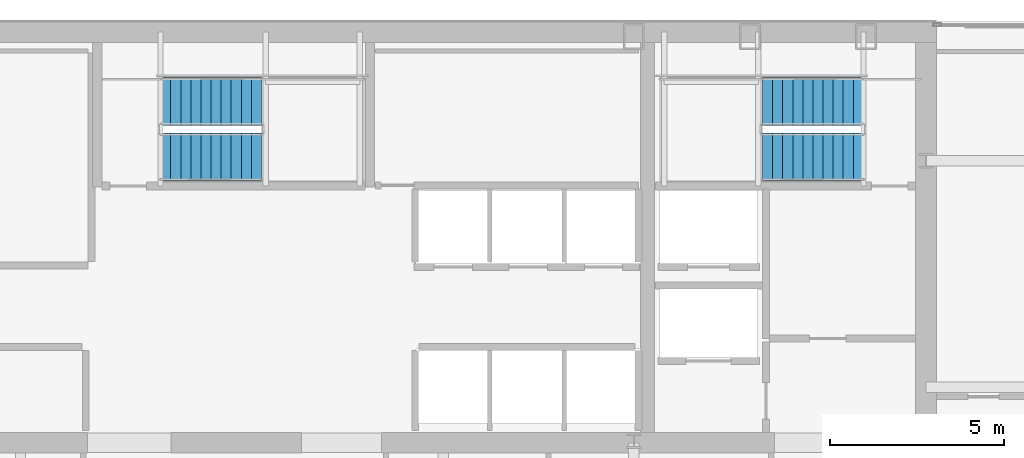
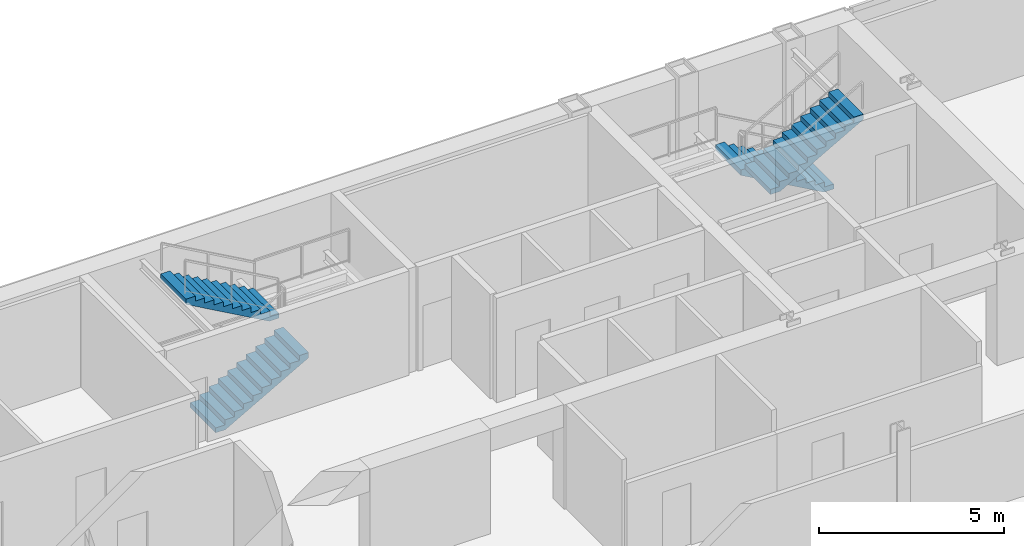
# One storey, part 28 of 30: 4 stair flights, 2 elements without a shape of their own.
"""IFC4 building model written with IfcOpenShell, lengths in metres."""

from ifc_helpers import new_model, si_unit, direction, frame, origin, place, context, subcontext, project, spatial, polyline, outline, extrude, material, type_object, element, aggregate, save


model = new_model("IFC4")

# Units and contexts
model_context = context("Model", 3, precision=1e-05, world=origin(), true_north=direction((0.0, 1.0)))
body_context = subcontext(model_context, "Body", "Model", "MODEL_VIEW")
ifc_project = project(units=[si_unit("LENGTHUNIT", "METRE"), si_unit("AREAUNIT", "SQUARE_METRE"), si_unit("VOLUMEUNIT", "CUBIC_METRE"), si_unit("PLANEANGLEUNIT", "RADIAN"), si_unit("MASSUNIT", "GRAM", prefix="KILO")], contexts=[model_context])

# Site, building, storey
site_placement = place(None, origin())
site = spatial("IfcSite", under=ifc_project, at=site_placement, CompositionType="ELEMENT")
building_placement = place(site_placement, origin())
building = spatial("IfcBuilding", under=site, at=building_placement, Name="Khoronbel Lancet Exchange", CompositionType="ELEMENT")
storey_placement = place(building_placement, frame((0.0, 0.0, 203.0)))
storey = spatial("IfcBuildingStorey", under=building, at=storey_placement, Name="L51", CompositionType="ELEMENT", Elevation=203.0)

# Stair, stair flights
ifc_material = material(Name="Concrete C40/50", Category="concrete")
stair_type = type_object("IfcStairType", Name="STR-CORE150", PredefinedType="HALF_TURN_STAIR", material=ifc_material)
stair_1_placement = place(storey_placement, origin())
stair_1 = element("IfcStair", 1, at=stair_1_placement, inside=storey, type_object=stair_type, Name="L51 Protected Exit Stair ST2", PredefinedType="HALF_TURN_STAIR")
stair_flight_type = type_object("IfcStairFlightType", Name="STF-150", PredefinedType="STRAIGHT", material=ifc_material)
stair_flight_1_placement = place(storey_placement, frame((54.60009765625, 51.409912109375, 0.0), z_axis=(0.0, 0.0, 1.0), x_axis=(-1.0, 0.0, 0.0)))
stair_flight_1 = element("IfcStairFlight", 2, at=stair_flight_1_placement, type_object=stair_flight_type, Name="ST2 flight 1", NumberOfRisers=11, NumberOfTreads=10, PredefinedType="STRAIGHT", RiserHeight=0.163636364, TreadLength=0.29, context=body_context, shape_type="SweptSolid", body=[
    extrude(outline(polyline([(0.0, 0.0), (0.0, 0.16357421875), (0.2900390625, 0.16357421875), (0.2900390625, 0.327392578125), (0.580078125, 0.327392578125), (0.580078125, 0.490966796875), (0.8701171875, 0.490966796875), (0.8701171875, 0.654541015625), (1.159912109375, 0.654541015625), (1.159912109375, 0.818115234375), (1.449951171875, 0.818115234375), (1.449951171875, 0.98193359375), (1.739990234375, 0.98193359375), (1.739990234375, 1.1455078125), (2.030029296875, 1.1455078125), (2.030029296875, 1.30908203125), (2.320068359375, 1.30908203125), (2.320068359375, 1.47265625), (2.610107421875, 1.47265625), (2.610107421875, 1.636474609375), (2.89990234375, 1.636474609375), (2.89990234375, 1.800048828125), (2.89990234375, 1.46435546875), (0.304931640625, 0.0), (0.0, 0.0)])), frame((0.0, 0.68994140625, 0.0), z_axis=(0.0, -1.0, 0.0), x_axis=(1.0, 0.0, 0.0)), (0.0, 0.0, 1.0), 1.3798828125),
])
stair_flight_2_placement = place(storey_placement, frame((51.699951171875, 49.81005859375, 1.800048828125), z_axis=(0.0, 0.0, 1.0), x_axis=(1.0, 0.0, 0.0)))
stair_flight_2 = element("IfcStairFlight", 3, at=stair_flight_2_placement, type_object=stair_flight_type, Name="ST2 flight 2", NumberOfRisers=11, NumberOfTreads=10, PredefinedType="STRAIGHT", RiserHeight=0.163636364, TreadLength=0.29, context=body_context, shape_type="SweptSolid", body=[
    extrude(outline(polyline([(0.0, 0.0), (0.0, 0.16357421875), (0.2900390625, 0.16357421875), (0.2900390625, 0.327392578125), (0.580078125, 0.327392578125), (0.580078125, 0.490966796875), (0.8701171875, 0.490966796875), (0.8701171875, 0.654541015625), (1.159912109375, 0.654541015625), (1.159912109375, 0.818115234375), (1.449951171875, 0.818115234375), (1.449951171875, 0.98193359375), (1.739990234375, 0.98193359375), (1.739990234375, 1.1455078125), (2.030029296875, 1.1455078125), (2.030029296875, 1.30908203125), (2.320068359375, 1.30908203125), (2.320068359375, 1.47265625), (2.610107421875, 1.47265625), (2.610107421875, 1.636474609375), (2.89990234375, 1.636474609375), (2.89990234375, 1.800048828125), (2.89990234375, 1.46435546875), (0.304931640625, 0.0), (0.0, 0.0)])), frame((0.0, 0.68994140625, 0.0), z_axis=(0.0, -1.0, 0.0), x_axis=(1.0, 0.0, 0.0)), (0.0, 0.0, 1.0), 1.3798828125),
])
aggregate(stair_1, [stair_flight_1, stair_flight_2])

stair_2_placement = place(storey_placement, origin())
stair_2 = element("IfcStair", 4, at=stair_2_placement, inside=storey, type_object=stair_type, Name="L51 Protected Exit Stair ST3", PredefinedType="HALF_TURN_STAIR")
stair_flight_3_placement = place(storey_placement, frame((34.39990234375, 49.81005859375, 0.0), z_axis=(0.0, 0.0, 1.0), x_axis=(1.0, 0.0, 0.0)))
stair_flight_3 = element("IfcStairFlight", 5, at=stair_flight_3_placement, type_object=stair_flight_type, Name="ST3 flight 1", NumberOfRisers=11, NumberOfTreads=10, PredefinedType="STRAIGHT", RiserHeight=0.163636364, TreadLength=0.29, context=body_context, shape_type="SweptSolid", body=[
    extrude(outline(polyline([(0.0, 0.0), (0.0, 0.16357421875), (0.2900390625, 0.16357421875), (0.2900390625, 0.327392578125), (0.580078125, 0.327392578125), (0.580078125, 0.490966796875), (0.8701171875, 0.490966796875), (0.8701171875, 0.654541015625), (1.159912109375, 0.654541015625), (1.159912109375, 0.818115234375), (1.449951171875, 0.818115234375), (1.449951171875, 0.98193359375), (1.739990234375, 0.98193359375), (1.739990234375, 1.1455078125), (2.030029296875, 1.1455078125), (2.030029296875, 1.30908203125), (2.320068359375, 1.30908203125), (2.320068359375, 1.47265625), (2.610107421875, 1.47265625), (2.610107421875, 1.636474609375), (2.89990234375, 1.636474609375), (2.89990234375, 1.800048828125), (2.89990234375, 1.46435546875), (0.304931640625, 0.0), (0.0, 0.0)])), frame((0.0, 0.68994140625, 0.0), z_axis=(0.0, -1.0, 0.0), x_axis=(1.0, 0.0, 0.0)), (0.0, 0.0, 1.0), 1.3798828125),
])
stair_flight_4_placement = place(storey_placement, frame((37.300048828125, 51.409912109375, 1.800048828125), z_axis=(0.0, 0.0, 1.0), x_axis=(-1.0, 0.0, 0.0)))
stair_flight_4 = element("IfcStairFlight", 6, at=stair_flight_4_placement, type_object=stair_flight_type, Name="ST3 flight 2", NumberOfRisers=11, NumberOfTreads=10, PredefinedType="STRAIGHT", RiserHeight=0.163636364, TreadLength=0.29, context=body_context, shape_type="SweptSolid", body=[
    extrude(outline(polyline([(0.0, 0.0), (0.0, 0.16357421875), (0.2900390625, 0.16357421875), (0.2900390625, 0.327392578125), (0.580078125, 0.327392578125), (0.580078125, 0.490966796875), (0.8701171875, 0.490966796875), (0.8701171875, 0.654541015625), (1.159912109375, 0.654541015625), (1.159912109375, 0.818115234375), (1.449951171875, 0.818115234375), (1.449951171875, 0.98193359375), (1.739990234375, 0.98193359375), (1.739990234375, 1.1455078125), (2.030029296875, 1.1455078125), (2.030029296875, 1.30908203125), (2.320068359375, 1.30908203125), (2.320068359375, 1.47265625), (2.610107421875, 1.47265625), (2.610107421875, 1.636474609375), (2.89990234375, 1.636474609375), (2.89990234375, 1.800048828125), (2.89990234375, 1.46435546875), (0.304931640625, 0.0), (0.0, 0.0)])), frame((0.0, 0.68994140625, 0.0), z_axis=(0.0, -1.0, 0.0), x_axis=(1.0, 0.0, 0.0)), (0.0, 0.0, 1.0), 1.3798828125),
])
aggregate(stair_2, [stair_flight_3, stair_flight_4])

save(model, "model.ifc")
